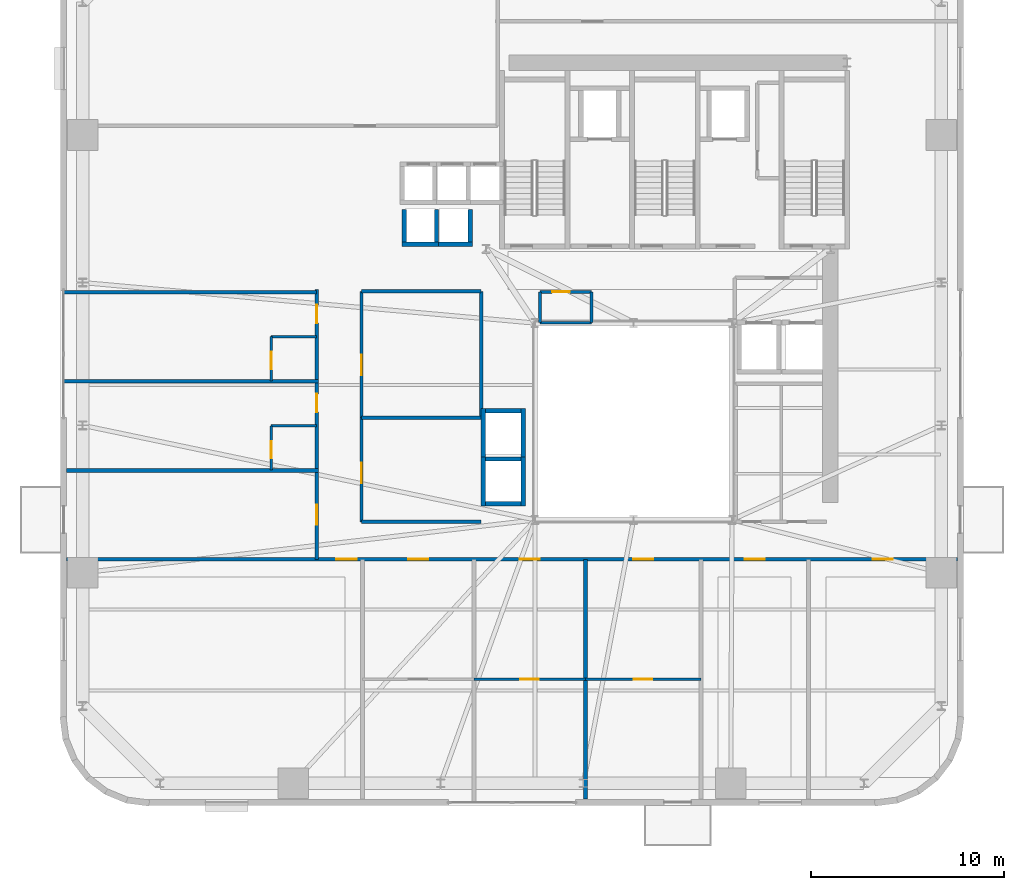
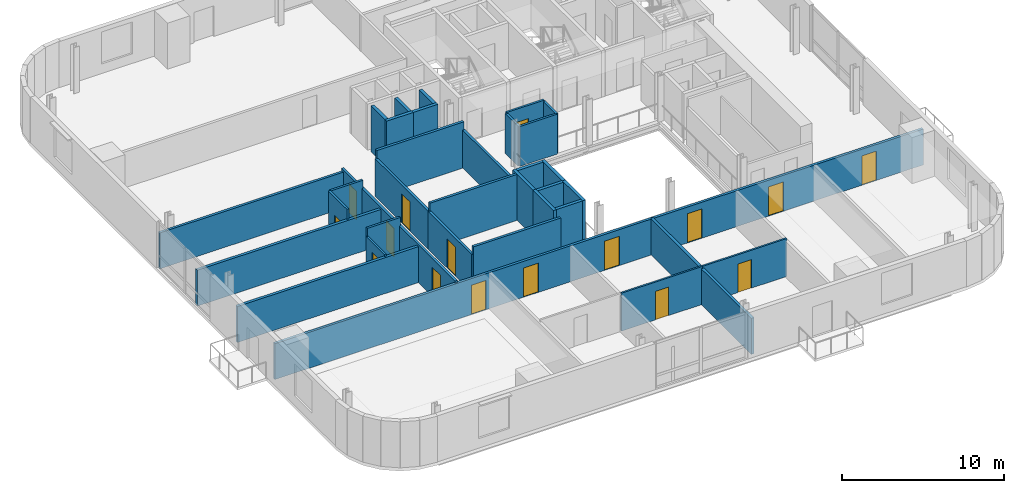
# One storey, part 6 of 14: 34 walls, 16 doors, 16 openings.
"""IFC4 building model written with IfcOpenShell, lengths in metres."""

from ifc_helpers import new_model, si_unit, direction, frame, frame_2d, origin, place, context, subcontext, project, spatial, rectangle, extrude, source, transform, mapped, material, layer, layer_set, type_object, element, fill, save


model = new_model("IFC4")

# Units and contexts
model_context = context("Model", 3, precision=1e-05, world=origin(), true_north=direction((0.0, 1.0)))
body_context = subcontext(model_context, "Body", "Model", "MODEL_VIEW")
ifc_project = project(units=[si_unit("LENGTHUNIT", "METRE"), si_unit("AREAUNIT", "SQUARE_METRE"), si_unit("VOLUMEUNIT", "CUBIC_METRE"), si_unit("PLANEANGLEUNIT", "RADIAN"), si_unit("MASSUNIT", "GRAM", prefix="KILO")], contexts=[model_context])

# Site, building, storey
site_placement = place(None, origin())
site = spatial("IfcSite", under=ifc_project, at=site_placement, CompositionType="ELEMENT")
building_placement = place(site_placement, origin())
building = spatial("IfcBuilding", under=site, at=building_placement, Name="Vardaveli Station Tower", CompositionType="ELEMENT")
storey_placement = place(building_placement, frame((0.0, 0.0, 144.60009765625)))
storey = spatial("IfcBuildingStorey", under=building, at=storey_placement, Name="L37", CompositionType="ELEMENT", Elevation=144.60009765625)

# Walls
ifc_material_1 = material(Name="Concrete C40/50", Category="concrete")
ifc_layer_1 = layer(ifc_material_1, 0.219970703125, Name="Concrete C40/50")
ifc_layer_set_1 = layer_set([ifc_layer_1], Name="Concrete C40/50")
wall_type_1 = type_object("IfcWallType", Name="WAL-FFLOBBY-220", PredefinedType="SOLIDWALL", material=ifc_layer_set_1)
shared_shape_1 = source(origin(), body_context, "Body", "SweptSolid", [
    extrude(rectangle(XDim=1.89013671875, YDim=0.219970703125, at=frame_2d((0.945068359375, 0.0))), origin(), (0.0, 0.0, 1.0), 3.4599609375),
])
for number, where, z_axis, x_axis, name in (
    (1, (24.304931640625, 30.889892578125, 0.0), (0.0, 0.0, 1.0), (1.0, 0.0, 0.0), "SHW-SHU-01-L37-S"),
    (2, (26.054931640625, 30.889892578125, 0.0), (0.0, 0.0, 1.0), (1.0, 0.0, 0.0), "SHW-SHU-02-L37-S"),
):
    element("IfcWall", number, at=place(storey_placement, frame(where, z_axis=z_axis, x_axis=x_axis)), inside=storey, type_object=wall_type_1, Name=name, PredefinedType="SOLIDWALL", context=body_context, shape_type="MappedRepresentation", body=[
        mapped(shared_shape_1, transform((0.0, 0.0, 0.0), scale=1.0)),
    ])
shared_shape_2 = source(origin(), body_context, "Body", "SweptSolid", [
    extrude(rectangle(XDim=1.699951171875, YDim=0.219970703125, at=frame_2d((0.85009765625, 0.0))), origin(), (0.0, 0.0, 1.0), 3.4599609375),
])
for number, where, z_axis, x_axis, name in (
    (3, (24.4150390625, 31.0, 0.0), (0.0, 0.0, 1.0), (0.0, 1.0, 0.0), "SHW-SHU-01-L37-W"),
    (4, (26.0849609375, 31.0, 0.0), (0.0, 0.0, 1.0), (0.0, 1.0, 0.0), "SHW-SHU-01-L37-E"),
    (5, (27.8349609375, 31.0, 0.0), (0.0, 0.0, 1.0), (0.0, 1.0, 0.0), "SHW-SHU-02-L37-E"),
):
    element("IfcWall", number, at=place(storey_placement, frame(where, z_axis=z_axis, x_axis=x_axis)), inside=storey, type_object=wall_type_1, Name=name, PredefinedType="SOLIDWALL", context=body_context, shape_type="MappedRepresentation", body=[
        mapped(shared_shape_2, transform((0.0, 0.0, 0.0), scale=1.0)),
    ])
shared_shape_3 = source(origin(), body_context, "Body", "SweptSolid", [
    extrude(rectangle(XDim=1.85009765625, YDim=0.219970703125, at=frame_2d((0.925048828125, 0.0))), origin(), (0.0, 0.0, 1.0), 3.4599609375),
])
for number, where, z_axis, x_axis, name in (
    (6, (28.625, 17.43994140625, 0.0), (0.0, 0.0, 1.0), (1.0, 0.0, 0.0), "SHW-OBS-01-L37-S"),
    (7, (28.625, 19.760009765625, 0.0), (0.0, 0.0, 1.0), (1.0, 0.0, 0.0), "SHW-OBS-01-L37-N"),
    (8, (28.625, 22.260009765625, 0.0), (0.0, 0.0, 1.0), (1.0, 0.0, 0.0), "SHW-OBS-02-L37-N"),
):
    element("IfcWall", number, at=place(storey_placement, frame(where, z_axis=z_axis, x_axis=x_axis)), inside=storey, type_object=wall_type_1, Name=name, PredefinedType="SOLIDWALL", context=body_context, shape_type="MappedRepresentation", body=[
        mapped(shared_shape_3, transform((0.0, 0.0, 0.0), scale=1.0)),
    ])
shared_shape_4 = source(origin(), body_context, "Body", "SweptSolid", [
    extrude(rectangle(XDim=2.5400390625, YDim=0.219970703125, at=frame_2d((1.27001953125, 0.0))), origin(), (0.0, 0.0, 1.0), 3.4599609375),
])
for number, where, z_axis, x_axis, name in (
    (9, (28.514892578125, 17.330078125, 0.0), (0.0, 0.0, 1.0), (0.0, 1.0, 0.0), "SHW-OBS-01-L37-W"),
    (10, (30.5849609375, 17.330078125, 0.0), (0.0, 0.0, 1.0), (0.0, 1.0, 0.0), "SHW-OBS-01-L37-E"),
    (11, (28.514892578125, 19.830078125, 0.0), (0.0, 0.0, 1.0), (0.0, 1.0, 0.0), "SHW-OBS-02-L37-W"),
    (12, (30.5849609375, 19.830078125, 0.0), (0.0, 0.0, 1.0), (0.0, 1.0, 0.0), "SHW-OBS-02-L37-E"),
):
    element("IfcWall", number, at=place(storey_placement, frame(where, z_axis=z_axis, x_axis=x_axis)), inside=storey, type_object=wall_type_1, Name=name, PredefinedType="SOLIDWALL", context=body_context, shape_type="MappedRepresentation", body=[
        mapped(shared_shape_4, transform((0.0, 0.0, 0.0), scale=1.0)),
    ])

# Wall, openings, doors
ifc_material_2 = material(Name="Fire-rated gypsum stud partition")
ifc_layer_2 = layer(ifc_material_2, 0.179931640625, Name="Fire-rated gypsum stud partition")
ifc_layer_set_2 = layer_set([ifc_layer_2], Name="Fire-rated gypsum stud partition")
wall_type_2 = type_object("IfcWallType", Name="WAL-CORR-180", PredefinedType="PARTITIONING", material=ifc_layer_set_2)
shared_shape_5 = source(origin(), body_context, "Body", "SweptSolid", [
    extrude(rectangle(XDim=46.15576171875, YDim=0.179931640625, at=frame_2d((23.077880859375, 0.0))), origin(), (0.0, 0.0, 1.0), 2.701904296875),
])
wall_1_placement = place(storey_placement, frame((6.922119140625, 14.550048828125, 0.0), z_axis=(0.0, 0.0, 1.0), x_axis=(1.0, 0.0, 0.0)))
wall_1 = element("IfcWall", 13, at=wall_1_placement, inside=storey, type_object=wall_type_2, Name="W-L37-CS", PredefinedType="PARTITIONING", context=body_context, shape_type="MappedRepresentation", body=[
    mapped(shared_shape_5, transform((0.0, 0.0, 0.0), scale=1.0)),
])
shared_shape_6 = source(origin(), body_context, "Body", "SweptSolid", [
    extrude(rectangle(XDim=1.050048828125, YDim=2.199951171875, at=frame_2d((0.52490234375, 1.10009765625))), frame((0.0, 0.10009765625, 0.0), z_axis=(0.0, -1.0, 0.0), x_axis=(1.0, 0.0, 0.0)), (0.0, 0.0, 1.0), 0.199951171875),
])
opening_1_placement = place(wall_1_placement, frame((13.97802734375, 0.0, 0.0)))
opening_1 = element("IfcOpeningElement", 14, at=opening_1_placement, cuts=wall_1, Name="Opening D-05", PredefinedType="OPENING", context=body_context, shape_type="MappedRepresentation", body=[
    mapped(shared_shape_6, transform((0.0, 0.0, 0.0), scale=1.0)),
])
opening_2_placement = place(wall_1_placement, frame((17.697509765625, 0.0, 0.0)))
opening_2 = element("IfcOpeningElement", 15, at=opening_2_placement, cuts=wall_1, Name="Opening D-05", PredefinedType="OPENING", context=body_context, shape_type="MappedRepresentation", body=[
    mapped(shared_shape_6, transform((0.0, 0.0, 0.0), scale=1.0)),
])
opening_3_placement = place(wall_1_placement, frame((23.476806640625, 0.0, 0.0)))
opening_3 = element("IfcOpeningElement", 16, at=opening_3_placement, cuts=wall_1, Name="Opening D-05", PredefinedType="OPENING", context=body_context, shape_type="MappedRepresentation", body=[
    mapped(shared_shape_6, transform((0.0, 0.0, 0.0), scale=1.0)),
])
opening_4_placement = place(wall_1_placement, frame((29.35693359375, 0.0, 0.0)))
opening_4 = element("IfcOpeningElement", 17, at=opening_4_placement, cuts=wall_1, Name="Opening D-05", PredefinedType="OPENING", context=body_context, shape_type="MappedRepresentation", body=[
    mapped(shared_shape_6, transform((0.0, 0.0, 0.0), scale=1.0)),
])
opening_5_placement = place(wall_1_placement, frame((35.135986328125, 0.0, 0.0)))
opening_5 = element("IfcOpeningElement", 18, at=opening_5_placement, cuts=wall_1, Name="Opening D-05", PredefinedType="OPENING", context=body_context, shape_type="MappedRepresentation", body=[
    mapped(shared_shape_6, transform((0.0, 0.0, 0.0), scale=1.0)),
])
opening_6_placement = place(wall_1_placement, frame((41.766357421875, 0.0, 0.0)))
opening_6 = element("IfcOpeningElement", 19, at=opening_6_placement, cuts=wall_1, Name="Opening D-05", PredefinedType="OPENING", context=body_context, shape_type="MappedRepresentation", body=[
    mapped(shared_shape_6, transform((0.0, 0.0, 0.0), scale=1.0)),
])
ifc_material_3 = material(Name="Walnut veneer acoustic fire door")
door_type_1 = type_object("IfcDoorType", Name="DR-SUITE-1050x2200", OperationType="NOTDEFINED", PredefinedType="DOOR", material=ifc_material_3)
shared_shape_7 = source(origin(), body_context, "Body", "SweptSolid", [
    extrude(rectangle(XDim=1.050048828125, YDim=2.199951171875, at=frame_2d((0.52490234375, 1.10009765625))), frame((0.0, 0.02490234375, 0.0), z_axis=(0.0, -1.0, 0.0), x_axis=(1.0, 0.0, 0.0)), (0.0, 0.0, 1.0), 0.050048828125),
])
door_1_placement = place(opening_1_placement, origin())
door_1 = element("IfcDoor", 20, at=door_1_placement, inside=storey, type_object=door_type_1, Name="D-L37-SA1", OperationType="SINGLE_SWING_LEFT", OverallHeight=2.199951171875, OverallWidth=1.050048828125, PredefinedType="DOOR", context=body_context, shape_type="MappedRepresentation", body=[
    mapped(shared_shape_7, transform((0.0, 0.0, 0.0), scale=1.0)),
])
fill(opening_1, door_1)
door_2_placement = place(opening_2_placement, origin())
door_2 = element("IfcDoor", 21, at=door_2_placement, inside=storey, type_object=door_type_1, Name="D-L37-SCB2", OperationType="SINGLE_SWING_RIGHT", OverallHeight=2.199951171875, OverallWidth=1.050048828125, PredefinedType="DOOR", context=body_context, shape_type="MappedRepresentation", body=[
    mapped(shared_shape_7, transform((0.0, 0.0, 0.0), scale=1.0)),
])
fill(opening_2, door_2)
door_3_placement = place(opening_3_placement, origin())
door_3 = element("IfcDoor", 22, at=door_3_placement, inside=storey, type_object=door_type_1, Name="D-L37-SCB3", OperationType="SINGLE_SWING_LEFT", OverallHeight=2.199951171875, OverallWidth=1.050048828125, PredefinedType="DOOR", context=body_context, shape_type="MappedRepresentation", body=[
    mapped(shared_shape_7, transform((0.0, 0.0, 0.0), scale=1.0)),
])
fill(opening_3, door_3)
door_4_placement = place(opening_4_placement, origin())
door_4 = element("IfcDoor", 23, at=door_4_placement, inside=storey, type_object=door_type_1, Name="D-L37-SCB4", OperationType="SINGLE_SWING_RIGHT", OverallHeight=2.199951171875, OverallWidth=1.050048828125, PredefinedType="DOOR", context=body_context, shape_type="MappedRepresentation", body=[
    mapped(shared_shape_7, transform((0.0, 0.0, 0.0), scale=1.0)),
])
fill(opening_4, door_4)
door_5_placement = place(opening_5_placement, origin())
door_5 = element("IfcDoor", 24, at=door_5_placement, inside=storey, type_object=door_type_1, Name="D-L37-SA5", OperationType="SINGLE_SWING_LEFT", OverallHeight=2.199951171875, OverallWidth=1.050048828125, PredefinedType="DOOR", context=body_context, shape_type="MappedRepresentation", body=[
    mapped(shared_shape_7, transform((0.0, 0.0, 0.0), scale=1.0)),
])
fill(opening_5, door_5)
door_6_placement = place(opening_6_placement, origin())
door_6 = element("IfcDoor", 25, at=door_6_placement, inside=storey, type_object=door_type_1, Name="D-L37-SA6", OperationType="SINGLE_SWING_RIGHT", OverallHeight=2.199951171875, OverallWidth=1.050048828125, PredefinedType="DOOR", context=body_context, shape_type="MappedRepresentation", body=[
    mapped(shared_shape_7, transform((0.0, 0.0, 0.0), scale=1.0)),
])
fill(opening_6, door_6)

# Walls
ifc_material_4 = material(Name="Acoustic twin-stud gypsum partition")
ifc_layer_3 = layer(ifc_material_4, 0.199951171875, Name="Acoustic twin-stud gypsum partition")
ifc_layer_set_3 = layer_set([ifc_layer_3], Name="Acoustic twin-stud gypsum partition")
wall_type_3 = type_object("IfcWallType", Name="WAL-PARTY-200", PredefinedType="PARTITIONING", material=ifc_layer_set_3)
shared_shape_8 = source(origin(), body_context, "Body", "SweptSolid", [
    extrude(rectangle(XDim=12.427978515625, YDim=0.199951171875, at=frame_2d((6.2138671875, 0.0))), origin(), (0.0, 0.0, 1.0), 2.701904296875),
])
wall_2_placement = place(storey_placement, frame((33.80810546875, 2.1220703125, 0.0), z_axis=(0.0, 0.0, 1.0), x_axis=(0.0, 1.0, 0.0)))
element("IfcWall", 26, at=wall_2_placement, inside=storey, type_object=wall_type_3, Name="W-L37-PS3", PredefinedType="PARTITIONING", context=body_context, shape_type="MappedRepresentation", body=[
    mapped(shared_shape_8, transform((0.0, 0.0, 0.0), scale=1.0)),
])
ifc_material_5 = material(Name="Moisture-resistant stud partition")
ifc_layer_4 = layer(ifc_material_5, 0.14990234375, Name="Moisture-resistant stud partition")
ifc_layer_set_4 = layer_set([ifc_layer_4], Name="Moisture-resistant stud partition")
wall_type_4 = type_object("IfcWallType", Name="WAL-WET-150", PredefinedType="PARTITIONING", material=ifc_layer_set_4)
shared_shape_9 = source(origin(), body_context, "Body", "SweptSolid", [
    extrude(rectangle(XDim=2.670166015625, YDim=0.14990234375, at=frame_2d((1.3349609375, 0.0))), origin(), (0.0, 0.0, 1.0), 3.001953125),
])
wall_3_placement = place(storey_placement, frame((31.449951171875, 26.820068359375, 0.0), z_axis=(0.0, 0.0, 1.0), x_axis=(1.0, 0.0, 0.0)))
element("IfcWall", 27, at=wall_3_placement, inside=storey, type_object=wall_type_4, Name="W-L37-WCA1-S", PredefinedType="PARTITIONING", context=body_context, shape_type="MappedRepresentation", body=[
    mapped(shared_shape_9, transform((0.0, 0.0, 0.0), scale=1.0)),
])
shared_shape_10 = source(origin(), body_context, "Body", "SweptSolid", [
    extrude(rectangle(XDim=1.599853515625, YDim=0.14990234375, at=frame_2d((0.7998046875, 0.0))), origin(), (0.0, 0.0, 1.0), 3.001953125),
])
for number, where, z_axis, x_axis, name in (
    (28, (31.449951171875, 26.820068359375, 0.0), (0.0, 0.0, 1.0), (0.0, 1.0, 0.0), "W-L37-WCA1-W"),
    (29, (34.1201171875, 26.820068359375, 0.0), (0.0, 0.0, 1.0), (0.0, 1.0, 0.0), "W-L37-WCA1-E"),
):
    element("IfcWall", number, at=place(storey_placement, frame(where, z_axis=z_axis, x_axis=x_axis)), inside=storey, type_object=wall_type_4, Name=name, PredefinedType="PARTITIONING", context=body_context, shape_type="MappedRepresentation", body=[
        mapped(shared_shape_10, transform((0.0, 0.0, 0.0), scale=1.0)),
    ])
shared_shape_11 = source(origin(), body_context, "Body", "SweptSolid", [
    extrude(rectangle(XDim=13.14990234375, YDim=0.179931640625, at=frame_2d((6.574951171875, 0.0))), origin(), (0.0, 0.0, 1.0), 2.701904296875),
])
wall_4_placement = place(storey_placement, frame((6.72998046875, 28.39990234375, 0.0), z_axis=(0.0, 0.0, 1.0), x_axis=(1.0, 0.0, 0.0)))
element("IfcWall", 30, at=wall_4_placement, inside=storey, type_object=wall_type_2, Name="W-L37-CWN", PredefinedType="PARTITIONING", context=body_context, shape_type="MappedRepresentation", body=[
    mapped(shared_shape_11, transform((0.0, 0.0, 0.0), scale=1.0)),
])
shared_shape_12 = source(origin(), body_context, "Body", "SweptSolid", [
    extrude(rectangle(XDim=6.199951171875, YDim=0.179931640625, at=frame_2d((3.10009765625, 0.0))), origin(), (0.0, 0.0, 1.0), 3.4599609375),
])
for number, where, z_axis, x_axis, name in (
    (31, (22.199951171875, 16.5, 0.0), (0.0, 0.0, 1.0), (1.0, 0.0, 0.0), "W-L37-ATW1-S"),
    (32, (22.199951171875, 21.89990234375, 0.0), (0.0, 0.0, 1.0), (1.0, 0.0, 0.0), "W-L37-ATW1-N"),
    (33, (22.199951171875, 28.43994140625, 0.0), (0.0, 0.0, 1.0), (1.0, 0.0, 0.0), "W-L37-ATW2-N"),
):
    element("IfcWall", number, at=place(storey_placement, frame(where, z_axis=z_axis, x_axis=x_axis)), inside=storey, type_object=wall_type_2, Name=name, PredefinedType="PARTITIONING", context=body_context, shape_type="MappedRepresentation", body=[
        mapped(shared_shape_12, transform((0.0, 0.0, 0.0), scale=1.0)),
    ])

# Wall, opening, door
shared_shape_13 = source(origin(), body_context, "Body", "SweptSolid", [
    extrude(rectangle(XDim=2.2900390625, YDim=0.14990234375, at=frame_2d((1.14501953125, 0.0))), origin(), (0.0, 0.0, 1.0), 3.4599609375),
])
wall_5_placement = place(storey_placement, frame((17.52001953125, 23.802978515625, 0.0), z_axis=(0.0, 0.0, 1.0), x_axis=(0.0, 1.0, 0.0)))
wall_5 = element("IfcWall", 34, at=wall_5_placement, inside=storey, type_object=wall_type_4, Name="W-L37-BW3-W", PredefinedType="PARTITIONING", context=body_context, shape_type="MappedRepresentation", body=[
    mapped(shared_shape_13, transform((0.0, 0.0, 0.0), scale=1.0)),
])
shared_shape_14 = source(origin(), body_context, "Body", "SweptSolid", [
    extrude(rectangle(XDim=0.89990234375, YDim=2.10009765625, at=frame_2d((0.449951171875, 1.050048828125))), frame((0.0, 0.0849609375, 0.0), z_axis=(0.0, -1.0, 0.0), x_axis=(1.0, 0.0, 0.0)), (0.0, 0.0, 1.0), 0.169921875),
])
opening_7_placement = place(wall_5_placement, frame((0.60009765625, 0.0, 0.0)))
opening_7 = element("IfcOpeningElement", 35, at=opening_7_placement, cuts=wall_5, Name="Opening D-08", PredefinedType="OPENING", context=body_context, shape_type="MappedRepresentation", body=[
    mapped(shared_shape_14, transform((0.0, 0.0, 0.0), scale=1.0)),
])
ifc_material_6 = material(Name="Moisture-resistant oak door")
door_type_2 = type_object("IfcDoorType", Name="DR-BATH-900x2100", OperationType="NOTDEFINED", PredefinedType="DOOR", material=ifc_material_6)
shared_shape_15 = source(origin(), body_context, "Body", "SweptSolid", [
    extrude(rectangle(XDim=0.89990234375, YDim=2.10009765625, at=frame_2d((0.449951171875, 1.050048828125))), frame((0.0, 0.02490234375, 0.0), z_axis=(0.0, -1.0, 0.0), x_axis=(1.0, 0.0, 0.0)), (0.0, 0.0, 1.0), 0.050048828125),
])
door_7_placement = place(opening_7_placement, origin())
door_7 = element("IfcDoor", 36, at=door_7_placement, inside=storey, type_object=door_type_2, Name="D-L37-BW3", OperationType="SINGLE_SWING_LEFT", OverallHeight=2.10009765625, OverallWidth=0.89990234375, PredefinedType="DOOR", context=body_context, shape_type="MappedRepresentation", body=[
    mapped(shared_shape_15, transform((0.0, 0.0, 0.0), scale=1.0)),
])
fill(opening_7, door_7)

# Walls
shared_shape_16 = source(origin(), body_context, "Body", "SweptSolid", [
    extrude(rectangle(XDim=2.35986328125, YDim=0.14990234375, at=frame_2d((1.179931640625, 0.0))), origin(), (0.0, 0.0, 1.0), 3.4599609375),
])
for number, where, z_axis, x_axis, name in (
    (37, (17.52001953125, 21.47705078125, 0.0), (0.0, 0.0, 1.0), (1.0, 0.0, 0.0), "W-L37-BW2-N"),
    (38, (17.52001953125, 26.093017578125, 0.0), (0.0, 0.0, 1.0), (1.0, 0.0, 0.0), "W-L37-BW3-N"),
):
    element("IfcWall", number, at=place(storey_placement, frame(where, z_axis=z_axis, x_axis=x_axis)), inside=storey, type_object=wall_type_4, Name=name, PredefinedType="PARTITIONING", context=body_context, shape_type="MappedRepresentation", body=[
        mapped(shared_shape_16, transform((0.0, 0.0, 0.0), scale=1.0)),
    ])

# Wall, openings, doors
shared_shape_17 = source(origin(), body_context, "Body", "SweptSolid", [
    extrude(rectangle(XDim=14.0, YDim=0.179931640625, at=frame_2d((7.0, 0.0))), origin(), (0.0, 0.0, 1.0), 2.851806640625),
])
wall_6_placement = place(storey_placement, frame((19.8798828125, 14.550048828125, 0.0), z_axis=(0.0, 0.0, 1.0), x_axis=(0.0, 1.0, 0.0)))
wall_6 = element("IfcWall", 39, at=wall_6_placement, inside=storey, type_object=wall_type_2, Name="W-L37-CW", PredefinedType="PARTITIONING", context=body_context, shape_type="MappedRepresentation", body=[
    mapped(shared_shape_17, transform((0.0, 0.0, 0.0), scale=1.0)),
])
opening_8_placement = place(wall_6_placement, frame((1.788330078125, 0.0, 0.0)))
opening_8 = element("IfcOpeningElement", 40, at=opening_8_placement, cuts=wall_6, Name="Opening D-05", PredefinedType="OPENING", context=body_context, shape_type="MappedRepresentation", body=[
    mapped(shared_shape_6, transform((0.0, 0.0, 0.0), scale=1.0)),
])
shared_shape_18 = source(origin(), body_context, "Body", "SweptSolid", [
    extrude(rectangle(XDim=0.949951171875, YDim=2.14990234375, at=frame_2d((0.47509765625, 1.074951171875))), frame((0.0, 0.10009765625, 0.0), z_axis=(0.0, -1.0, 0.0), x_axis=(1.0, 0.0, 0.0)), (0.0, 0.0, 1.0), 0.199951171875),
])
opening_9_placement = place(wall_6_placement, frame((7.6298828125, 0.0, 0.0)))
opening_9 = element("IfcOpeningElement", 41, at=opening_9_placement, cuts=wall_6, Name="Opening D-06", PredefinedType="OPENING", context=body_context, shape_type="MappedRepresentation", body=[
    mapped(shared_shape_18, transform((0.0, 0.0, 0.0), scale=1.0)),
])
opening_10_placement = place(wall_6_placement, frame((12.24658203125, 0.0, 0.0)))
opening_10 = element("IfcOpeningElement", 42, at=opening_10_placement, cuts=wall_6, Name="Opening D-06", PredefinedType="OPENING", context=body_context, shape_type="MappedRepresentation", body=[
    mapped(shared_shape_18, transform((0.0, 0.0, 0.0), scale=1.0)),
])
door_8_placement = place(opening_8_placement, origin())
door_8 = element("IfcDoor", 43, at=door_8_placement, inside=storey, type_object=door_type_1, Name="D-L37-GW1", OperationType="SINGLE_SWING_LEFT", OverallHeight=2.199951171875, OverallWidth=1.050048828125, PredefinedType="DOOR", context=body_context, shape_type="MappedRepresentation", body=[
    mapped(shared_shape_7, transform((0.0, 0.0, 0.0), scale=1.0)),
])
fill(opening_8, door_8)
ifc_material_7 = material(Name="Oak veneer acoustic fire door")
door_type_3 = type_object("IfcDoorType", Name="DR-GUEST-950x2150", OperationType="NOTDEFINED", PredefinedType="DOOR", material=ifc_material_7)
shared_shape_19 = source(origin(), body_context, "Body", "SweptSolid", [
    extrude(rectangle(XDim=0.949951171875, YDim=2.14990234375, at=frame_2d((0.47509765625, 1.074951171875))), frame((0.0, 0.02490234375, 0.0), z_axis=(0.0, -1.0, 0.0), x_axis=(1.0, 0.0, 0.0)), (0.0, 0.0, 1.0), 0.050048828125),
])
door_9_placement = place(opening_9_placement, origin())
door_9 = element("IfcDoor", 44, at=door_9_placement, inside=storey, type_object=door_type_3, Name="D-L37-GW2", OperationType="SINGLE_SWING_RIGHT", OverallHeight=2.14990234375, OverallWidth=0.949951171875, PredefinedType="DOOR", context=body_context, shape_type="MappedRepresentation", body=[
    mapped(shared_shape_19, transform((0.0, 0.0, 0.0), scale=1.0)),
])
fill(opening_9, door_9)
door_10_placement = place(opening_10_placement, origin())
door_10 = element("IfcDoor", 45, at=door_10_placement, inside=storey, type_object=door_type_3, Name="D-L37-GW3", OperationType="SINGLE_SWING_LEFT", OverallHeight=2.14990234375, OverallWidth=0.949951171875, PredefinedType="DOOR", context=body_context, shape_type="MappedRepresentation", body=[
    mapped(shared_shape_19, transform((0.0, 0.0, 0.0), scale=1.0)),
])
fill(opening_10, door_10)

# Wall, opening, door
shared_shape_20 = source(origin(), body_context, "Body", "SweptSolid", [
    extrude(rectangle(XDim=6.5400390625, YDim=0.179931640625, at=frame_2d((3.27001953125, 0.0))), origin(), (0.0, 0.0, 1.0), 2.851806640625),
])
wall_7_placement = place(storey_placement, frame((22.199951171875, 21.89990234375, 0.0), z_axis=(0.0, 0.0, 1.0), x_axis=(0.0, 1.0, 0.0)))
wall_7 = element("IfcWall", 46, at=wall_7_placement, inside=storey, type_object=wall_type_2, Name="W-L37-ATW2-W", PredefinedType="PARTITIONING", context=body_context, shape_type="MappedRepresentation", body=[
    mapped(shared_shape_20, transform((0.0, 0.0, 0.0), scale=1.0)),
])
opening_11_placement = place(wall_7_placement, frame((2.199951171875, 0.0, 0.0)))
opening_11 = element("IfcOpeningElement", 47, at=opening_11_placement, cuts=wall_7, Name="Opening D-05", PredefinedType="OPENING", context=body_context, shape_type="MappedRepresentation", body=[
    mapped(shared_shape_6, transform((0.0, 0.0, 0.0), scale=1.0)),
])
door_11_placement = place(opening_11_placement, origin())
door_11 = element("IfcDoor", 48, at=door_11_placement, inside=storey, type_object=door_type_1, Name="D-L37-ATW2", OperationType="SINGLE_SWING_RIGHT", OverallHeight=2.199951171875, OverallWidth=1.050048828125, PredefinedType="DOOR", context=body_context, shape_type="MappedRepresentation", body=[
    mapped(shared_shape_7, transform((0.0, 0.0, 0.0), scale=1.0)),
])
fill(opening_11, door_11)

# Wall
wall_8_placement = place(storey_placement, frame((28.39990234375, 21.89990234375, 0.0), z_axis=(0.0, 0.0, 1.0), x_axis=(0.0, 1.0, 0.0)))
element("IfcWall", 49, at=wall_8_placement, inside=storey, type_object=wall_type_2, Name="W-L37-ATW2-E", PredefinedType="PARTITIONING", context=body_context, shape_type="MappedRepresentation", body=[
    mapped(shared_shape_20, transform((0.0, 0.0, 0.0), scale=1.0)),
])

# Wall, opening, door
ifc_material_8 = material(Name="Gypsum board stud partition")
ifc_layer_5 = layer(ifc_material_8, 0.125, Name="Gypsum board stud partition")
ifc_layer_set_5 = layer_set([ifc_layer_5], Name="Gypsum board stud partition")
wall_type_5 = type_object("IfcWallType", Name="WAL-INT-125", PredefinedType="PARTITIONING", material=ifc_layer_set_5)
shared_shape_21 = source(origin(), body_context, "Body", "SweptSolid", [
    extrude(rectangle(XDim=5.98193359375, YDim=0.125, at=frame_2d((2.990966796875, 0.0))), origin(), (0.0, 0.0, 1.0), 2.851806640625),
])
wall_9_placement = place(storey_placement, frame((33.80810546875, 8.35009765625, 0.0), z_axis=(0.0, 0.0, 1.0), x_axis=(1.0, 0.0, 0.0)))
wall_9 = element("IfcWall", 50, at=wall_9_placement, inside=storey, type_object=wall_type_5, Name="W-L37-SCM4", PredefinedType="PARTITIONING", context=body_context, shape_type="MappedRepresentation", body=[
    mapped(shared_shape_21, transform((0.0, 0.0, 0.0), scale=1.0)),
])
shared_shape_22 = source(origin(), body_context, "Body", "SweptSolid", [
    extrude(rectangle(XDim=0.949951171875, YDim=2.14990234375, at=frame_2d((0.47509765625, 1.074951171875))), frame((0.0, 0.072509765625, 0.0), z_axis=(0.0, -1.0, 0.0), x_axis=(1.0, 0.0, 0.0)), (0.0, 0.0, 1.0), 0.14501953125),
])
opening_12_placement = place(wall_9_placement, frame((2.510498046875, 0.0, 0.0)))
opening_12 = element("IfcOpeningElement", 51, at=opening_12_placement, cuts=wall_9, Name="Opening D-11", PredefinedType="OPENING", context=body_context, shape_type="MappedRepresentation", body=[
    mapped(shared_shape_22, transform((0.0, 0.0, 0.0), scale=1.0)),
])
ifc_material_9 = material(Name="Oak veneer internal suite door")
door_type_4 = type_object("IfcDoorType", Name="DR-INT-950x2150", OperationType="NOTDEFINED", PredefinedType="DOOR", material=ifc_material_9)
door_12_placement = place(opening_12_placement, origin())
door_12 = element("IfcDoor", 52, at=door_12_placement, inside=storey, type_object=door_type_4, Name="D-L37-SCF4", OperationType="SINGLE_SWING_LEFT", OverallHeight=2.14990234375, OverallWidth=0.949951171875, PredefinedType="DOOR", context=body_context, shape_type="MappedRepresentation", body=[
    mapped(shared_shape_19, transform((0.0, 0.0, 0.0), scale=1.0)),
])
fill(opening_12, door_12)

shared_shape_23 = source(origin(), body_context, "Body", "SweptSolid", [
    extrude(rectangle(XDim=5.779052734375, YDim=0.125, at=frame_2d((2.8896484375, 0.0))), origin(), (0.0, 0.0, 1.0), 2.851806640625),
])
wall_10_placement = place(storey_placement, frame((28.029052734375, 8.35009765625, 0.0), z_axis=(0.0, 0.0, 1.0), x_axis=(1.0, 0.0, 0.0)))
wall_10 = element("IfcWall", 53, at=wall_10_placement, inside=storey, type_object=wall_type_5, Name="W-L37-SCM3", PredefinedType="PARTITIONING", context=body_context, shape_type="MappedRepresentation", body=[
    mapped(shared_shape_23, transform((0.0, 0.0, 0.0), scale=1.0)),
])
opening_13_placement = place(wall_10_placement, frame((2.40966796875, 0.0, 0.0)))
opening_13 = element("IfcOpeningElement", 54, at=opening_13_placement, cuts=wall_10, Name="Opening D-11", PredefinedType="OPENING", context=body_context, shape_type="MappedRepresentation", body=[
    mapped(shared_shape_22, transform((0.0, 0.0, 0.0), scale=1.0)),
])
door_13_placement = place(opening_13_placement, origin())
door_13 = element("IfcDoor", 55, at=door_13_placement, inside=storey, type_object=door_type_4, Name="D-L37-SCF3", OperationType="SINGLE_SWING_LEFT", OverallHeight=2.14990234375, OverallWidth=0.949951171875, PredefinedType="DOOR", context=body_context, shape_type="MappedRepresentation", body=[
    mapped(shared_shape_19, transform((0.0, 0.0, 0.0), scale=1.0)),
])
fill(opening_13, door_13)

shared_shape_24 = source(origin(), body_context, "Body", "SweptSolid", [
    extrude(rectangle(XDim=5.39990234375, YDim=0.179931640625, at=frame_2d((2.699951171875, 0.0))), origin(), (0.0, 0.0, 1.0), 2.851806640625),
])
wall_11_placement = place(storey_placement, frame((22.199951171875, 16.5, 0.0), z_axis=(0.0, 0.0, 1.0), x_axis=(0.0, 1.0, 0.0)))
wall_11 = element("IfcWall", 56, at=wall_11_placement, inside=storey, type_object=wall_type_2, Name="W-L37-ATW1-W", PredefinedType="PARTITIONING", context=body_context, shape_type="MappedRepresentation", body=[
    mapped(shared_shape_24, transform((0.0, 0.0, 0.0), scale=1.0)),
])
opening_14_placement = place(wall_11_placement, frame((2.0, 0.0, 0.0)))
opening_14 = element("IfcOpeningElement", 57, at=opening_14_placement, cuts=wall_11, Name="Opening D-05", PredefinedType="OPENING", context=body_context, shape_type="MappedRepresentation", body=[
    mapped(shared_shape_6, transform((0.0, 0.0, 0.0), scale=1.0)),
])
door_14_placement = place(opening_14_placement, origin())
door_14 = element("IfcDoor", 58, at=door_14_placement, inside=storey, type_object=door_type_1, Name="D-L37-ATW1", OperationType="SINGLE_SWING_RIGHT", OverallHeight=2.199951171875, OverallWidth=1.050048828125, PredefinedType="DOOR", context=body_context, shape_type="MappedRepresentation", body=[
    mapped(shared_shape_7, transform((0.0, 0.0, 0.0), scale=1.0)),
])
fill(opening_14, door_14)

shared_shape_25 = source(origin(), body_context, "Body", "SweptSolid", [
    extrude(rectangle(XDim=2.670166015625, YDim=0.14990234375, at=frame_2d((1.3349609375, 0.0))), origin(), (0.0, 0.0, 1.0), 3.091796875),
])
wall_12_placement = place(storey_placement, frame((31.449951171875, 28.419921875, 0.0), z_axis=(0.0, 0.0, 1.0), x_axis=(1.0, 0.0, 0.0)))
wall_12 = element("IfcWall", 59, at=wall_12_placement, inside=storey, type_object=wall_type_4, Name="W-L37-WCA1-N", PredefinedType="PARTITIONING", context=body_context, shape_type="MappedRepresentation", body=[
    mapped(shared_shape_25, transform((0.0, 0.0, 0.0), scale=1.0)),
])
shared_shape_26 = source(origin(), body_context, "Body", "SweptSolid", [
    extrude(rectangle(XDim=0.919921875, YDim=2.10009765625, at=frame_2d((0.4599609375, 1.050048828125))), frame((0.0, 0.0849609375, 0.0), z_axis=(0.0, -1.0, 0.0), x_axis=(1.0, 0.0, 0.0)), (0.0, 0.0, 1.0), 0.169921875),
])
opening_15_placement = place(wall_12_placement, frame((0.6298828125, 0.0, 0.0)))
opening_15 = element("IfcOpeningElement", 60, at=opening_15_placement, cuts=wall_12, Name="Opening D-07", PredefinedType="OPENING", context=body_context, shape_type="MappedRepresentation", body=[
    mapped(shared_shape_26, transform((0.0, 0.0, 0.0), scale=1.0)),
])
ifc_material_10 = material(Name="Moisture-resistant hardwood door", Category="wood")
door_type_5 = type_object("IfcDoorType", Name="DR-WC-920x2100", OperationType="NOTDEFINED", PredefinedType="DOOR", material=ifc_material_10)
shared_shape_27 = source(origin(), body_context, "Body", "SweptSolid", [
    extrude(rectangle(XDim=0.919921875, YDim=2.10009765625, at=frame_2d((0.4599609375, 1.050048828125))), frame((0.0, 0.02490234375, 0.0), z_axis=(0.0, -1.0, 0.0), x_axis=(1.0, 0.0, 0.0)), (0.0, 0.0, 1.0), 0.050048828125),
])
door_15_placement = place(opening_15_placement, origin())
door_15 = element("IfcDoor", 61, at=door_15_placement, inside=storey, type_object=door_type_5, Name="D-L37-WCA", OperationType="SINGLE_SWING_LEFT", OverallHeight=2.10009765625, OverallWidth=0.919921875, PredefinedType="DOOR", context=body_context, shape_type="MappedRepresentation", body=[
    mapped(shared_shape_27, transform((0.0, 0.0, 0.0), scale=1.0)),
])
fill(opening_15, door_15)

shared_shape_28 = source(origin(), body_context, "Body", "SweptSolid", [
    extrude(rectangle(XDim=2.2900390625, YDim=0.14990234375, at=frame_2d((1.14501953125, 0.0))), origin(), (0.0, 0.0, 1.0), 2.851806640625),
])
wall_13_placement = place(storey_placement, frame((17.52001953125, 19.18701171875, 0.0), z_axis=(0.0, 0.0, 1.0), x_axis=(0.0, 1.0, 0.0)))
wall_13 = element("IfcWall", 62, at=wall_13_placement, inside=storey, type_object=wall_type_4, Name="W-L37-BW2-W", PredefinedType="PARTITIONING", context=body_context, shape_type="MappedRepresentation", body=[
    mapped(shared_shape_28, transform((0.0, 0.0, 0.0), scale=1.0)),
])
opening_16_placement = place(wall_13_placement, frame((0.60009765625, 0.0, 0.0)))
opening_16 = element("IfcOpeningElement", 63, at=opening_16_placement, cuts=wall_13, Name="Opening D-08", PredefinedType="OPENING", context=body_context, shape_type="MappedRepresentation", body=[
    mapped(shared_shape_14, transform((0.0, 0.0, 0.0), scale=1.0)),
])
door_16_placement = place(opening_16_placement, origin())
door_16 = element("IfcDoor", 64, at=door_16_placement, inside=storey, type_object=door_type_2, Name="D-L37-BW2", OperationType="SINGLE_SWING_RIGHT", OverallHeight=2.10009765625, OverallWidth=0.89990234375, PredefinedType="DOOR", context=body_context, shape_type="MappedRepresentation", body=[
    mapped(shared_shape_15, transform((0.0, 0.0, 0.0), scale=1.0)),
])
fill(opening_16, door_16)

# Walls
shared_shape_29 = source(origin(), body_context, "Body", "SweptSolid", [
    extrude(rectangle(XDim=13.057861328125, YDim=0.199951171875, at=frame_2d((6.52880859375, 0.0))), origin(), (0.0, 0.0, 1.0), 2.701904296875),
])
wall_14_placement = place(storey_placement, frame((6.922119140625, 19.1669921875, 0.0), z_axis=(0.0, 0.0, 1.0), x_axis=(1.0, 0.0, 0.0)))
element("IfcWall", 65, at=wall_14_placement, inside=storey, type_object=wall_type_3, Name="W-L37-PW1", PredefinedType="PARTITIONING", context=body_context, shape_type="MappedRepresentation", body=[
    mapped(shared_shape_29, transform((0.0, 0.0, 0.0), scale=1.0)),
])
shared_shape_30 = source(origin(), body_context, "Body", "SweptSolid", [
    extrude(rectangle(XDim=13.25, YDim=0.199951171875, at=frame_2d((6.625, 0.0))), origin(), (0.0, 0.0, 1.0), 2.701904296875),
])
wall_15_placement = place(storey_placement, frame((6.72998046875, 23.782958984375, 0.0), z_axis=(0.0, 0.0, 1.0), x_axis=(1.0, 0.0, 0.0)))
element("IfcWall", 66, at=wall_15_placement, inside=storey, type_object=wall_type_3, Name="W-L37-PW2", PredefinedType="PARTITIONING", context=body_context, shape_type="MappedRepresentation", body=[
    mapped(shared_shape_30, transform((0.0, 0.0, 0.0), scale=1.0)),
])

save(model, "model.ifc")
